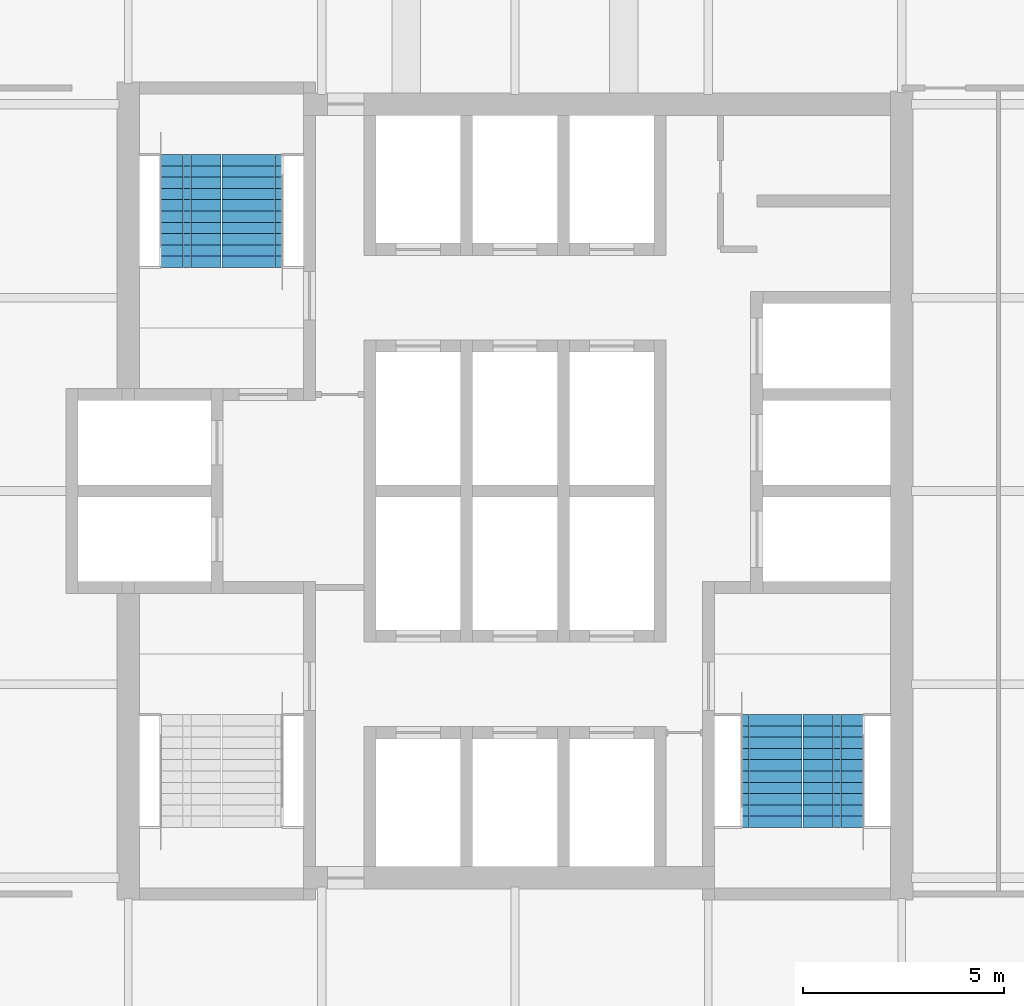
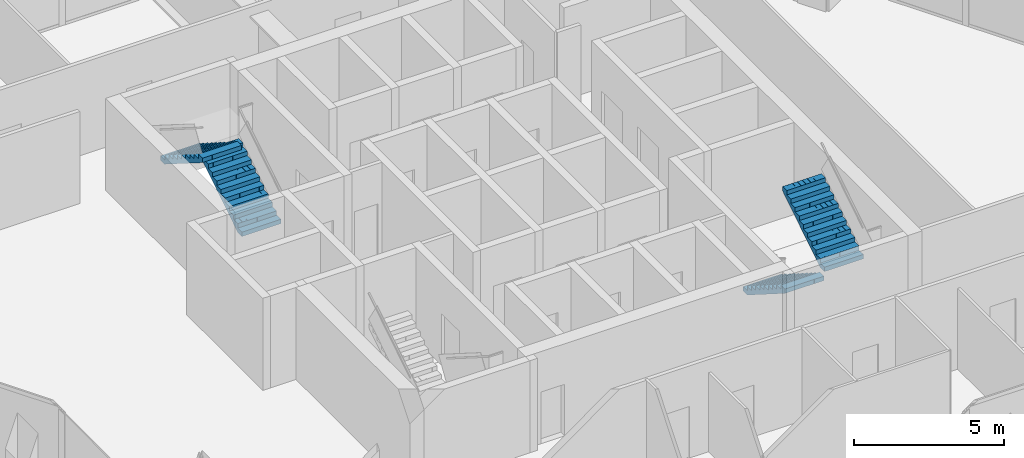
# One storey, part 12 of 14: 4 stair flights, 2 elements without a shape of their own.
"""IFC4 building model written with IfcOpenShell, lengths in metres."""

from ifc_helpers import new_model, si_unit, direction, frame, origin, place, context, subcontext, project, spatial, polyline, outline, extrude, material, type_object, element, aggregate, save


model = new_model("IFC4")

# Units and contexts
model_context = context("Model", 3, precision=1e-05, world=origin(), true_north=direction((0.0, 1.0)))
body_context = subcontext(model_context, "Body", "Model", "MODEL_VIEW")
ifc_project = project(units=[si_unit("LENGTHUNIT", "METRE"), si_unit("AREAUNIT", "SQUARE_METRE"), si_unit("VOLUMEUNIT", "CUBIC_METRE"), si_unit("PLANEANGLEUNIT", "RADIAN"), si_unit("MASSUNIT", "GRAM", prefix="KILO")], contexts=[model_context])

# Site, building, storey
site_placement = place(None, origin())
site = spatial("IfcSite", under=ifc_project, at=site_placement, CompositionType="ELEMENT")
building_placement = place(site_placement, origin())
building = spatial("IfcBuilding", under=site, at=building_placement, Name="Kolab Exchange Tower", CompositionType="ELEMENT")
storey_placement = place(building_placement, frame((0.0, 0.0, 265.699951171875)))
storey = spatial("IfcBuildingStorey", under=building, at=storey_placement, Name="L59", CompositionType="ELEMENT", Elevation=265.699951171875)

# Stair, stair flights
ifc_material = material(Name="Concrete C50/60", Category="concrete")
stair_type_1 = type_object("IfcStairType", Name="STAIR ST1 RISER 177.3", PredefinedType="HALF_TURN_STAIR", material=ifc_material)
stair_1_placement = place(storey_placement, origin())
stair_1 = element("IfcStair", 1, at=stair_1_placement, inside=storey, type_object=stair_type_1, Name="Stair 1", PredefinedType="HALF_TURN_STAIR")
stair_flight_type = type_object("IfcStairFlightType", Name="STAIR FLIGHT 1500 RISER 177.3", PredefinedType="STRAIGHT", material=ifc_material)
stair_flight_1_placement = place(storey_placement, frame((-6.527587890625, 5.550048828125, 0.0), z_axis=(0.0, 0.0, 1.0), x_axis=(0.0, 1.0, 0.0)))
stair_flight_1 = element("IfcStairFlight", 2, at=stair_flight_1_placement, type_object=stair_flight_type, Name="ST1 flight 1", NumberOfRisers=11, NumberOfTreads=10, PredefinedType="STRAIGHT", RiserHeight=0.177272727, TreadLength=0.28, context=body_context, shape_type="SweptSolid", body=[
    extrude(outline(polyline([(0.0, 0.0), (0.0, 0.17724609375), (0.280029296875, 0.17724609375), (0.280029296875, 0.3544921875), (0.56005859375, 0.3544921875), (0.56005859375, 0.53173828125), (0.840087890625, 0.53173828125), (0.840087890625, 0.708984375), (1.1201171875, 0.708984375), (1.1201171875, 0.886474609375), (1.39990234375, 0.886474609375), (1.39990234375, 1.063720703125), (1.679931640625, 1.063720703125), (1.679931640625, 1.240966796875), (1.9599609375, 1.240966796875), (1.9599609375, 1.418212890625), (2.239990234375, 1.418212890625), (2.239990234375, 1.595458984375), (2.52001953125, 1.595458984375), (2.52001953125, 1.772705078125), (2.800048828125, 1.772705078125), (2.800048828125, 1.949951171875), (2.800048828125, 1.59521484375), (0.2802734375, 0.0), (0.0, 0.0)])), frame((0.0, 0.75, 0.0), z_axis=(0.0, -1.0, 0.0), x_axis=(1.0, 0.0, 0.0)), (0.0, 0.0, 1.0), 0.185791015625),
    extrude(outline(polyline([(0.0, 0.0), (0.0, 0.17724609375), (0.280029296875, 0.17724609375), (0.280029296875, 0.3544921875), (0.56005859375, 0.3544921875), (0.56005859375, 0.53173828125), (0.840087890625, 0.53173828125), (0.840087890625, 0.708984375), (1.1201171875, 0.708984375), (1.1201171875, 0.886474609375), (1.39990234375, 0.886474609375), (1.39990234375, 1.063720703125), (1.679931640625, 1.063720703125), (1.679931640625, 1.240966796875), (1.9599609375, 1.240966796875), (1.9599609375, 1.418212890625), (2.239990234375, 1.418212890625), (2.239990234375, 1.595458984375), (2.52001953125, 1.595458984375), (2.52001953125, 1.772705078125), (2.800048828125, 1.772705078125), (2.800048828125, 1.949951171875), (2.800048828125, 1.59521484375), (0.2802734375, 0.0), (0.0, 0.0)])), frame((0.0, 0.562255859375, 0.0), z_axis=(0.0, -1.0, 0.0), x_axis=(1.0, 0.0, 0.0)), (0.0, 0.0, 1.0), 0.185791015625),
    extrude(outline(polyline([(0.0, 0.0), (0.0, 0.17724609375), (0.280029296875, 0.17724609375), (0.280029296875, 0.3544921875), (0.56005859375, 0.3544921875), (0.56005859375, 0.53173828125), (0.840087890625, 0.53173828125), (0.840087890625, 0.708984375), (1.1201171875, 0.708984375), (1.1201171875, 0.886474609375), (1.39990234375, 0.886474609375), (1.39990234375, 1.063720703125), (1.679931640625, 1.063720703125), (1.679931640625, 1.240966796875), (1.9599609375, 1.240966796875), (1.9599609375, 1.418212890625), (2.239990234375, 1.418212890625), (2.239990234375, 1.595458984375), (2.52001953125, 1.595458984375), (2.52001953125, 1.772705078125), (2.800048828125, 1.772705078125), (2.800048828125, 1.949951171875), (2.800048828125, 1.59521484375), (0.2802734375, 0.0), (0.0, 0.0)])), frame((0.0, 0.37451171875, 0.0), z_axis=(0.0, -1.0, 0.0), x_axis=(1.0, 0.0, 0.0)), (0.0, 0.0, 1.0), 0.185791015625),
    extrude(outline(polyline([(0.0, 0.0), (0.0, 0.17724609375), (0.280029296875, 0.17724609375), (0.280029296875, 0.3544921875), (0.56005859375, 0.3544921875), (0.56005859375, 0.53173828125), (0.840087890625, 0.53173828125), (0.840087890625, 0.708984375), (1.1201171875, 0.708984375), (1.1201171875, 0.886474609375), (1.39990234375, 0.886474609375), (1.39990234375, 1.063720703125), (1.679931640625, 1.063720703125), (1.679931640625, 1.240966796875), (1.9599609375, 1.240966796875), (1.9599609375, 1.418212890625), (2.239990234375, 1.418212890625), (2.239990234375, 1.595458984375), (2.52001953125, 1.595458984375), (2.52001953125, 1.772705078125), (2.800048828125, 1.772705078125), (2.800048828125, 1.949951171875), (2.800048828125, 1.59521484375), (0.2802734375, 0.0), (0.0, 0.0)])), frame((0.0, 0.186767578125, 0.0), z_axis=(0.0, -1.0, 0.0), x_axis=(1.0, 0.0, 0.0)), (0.0, 0.0, 1.0), 0.185791015625),
    extrude(outline(polyline([(0.0, 0.0), (0.0, 0.17724609375), (0.280029296875, 0.17724609375), (0.280029296875, 0.3544921875), (0.56005859375, 0.3544921875), (0.56005859375, 0.53173828125), (0.840087890625, 0.53173828125), (0.840087890625, 0.708984375), (1.1201171875, 0.708984375), (1.1201171875, 0.886474609375), (1.39990234375, 0.886474609375), (1.39990234375, 1.063720703125), (1.679931640625, 1.063720703125), (1.679931640625, 1.240966796875), (1.9599609375, 1.240966796875), (1.9599609375, 1.418212890625), (2.239990234375, 1.418212890625), (2.239990234375, 1.595458984375), (2.52001953125, 1.595458984375), (2.52001953125, 1.772705078125), (2.800048828125, 1.772705078125), (2.800048828125, 1.949951171875), (2.800048828125, 1.59521484375), (0.2802734375, 0.0), (0.0, 0.0)])), frame((0.0, -0.0009765625, 0.0), z_axis=(0.0, -1.0, 0.0), x_axis=(1.0, 0.0, 0.0)), (0.0, 0.0, 1.0), 0.185791015625),
    extrude(outline(polyline([(0.0, 0.0), (0.0, 0.17724609375), (0.280029296875, 0.17724609375), (0.280029296875, 0.3544921875), (0.56005859375, 0.3544921875), (0.56005859375, 0.53173828125), (0.840087890625, 0.53173828125), (0.840087890625, 0.708984375), (1.1201171875, 0.708984375), (1.1201171875, 0.886474609375), (1.39990234375, 0.886474609375), (1.39990234375, 1.063720703125), (1.679931640625, 1.063720703125), (1.679931640625, 1.240966796875), (1.9599609375, 1.240966796875), (1.9599609375, 1.418212890625), (2.239990234375, 1.418212890625), (2.239990234375, 1.595458984375), (2.52001953125, 1.595458984375), (2.52001953125, 1.772705078125), (2.800048828125, 1.772705078125), (2.800048828125, 1.949951171875), (2.800048828125, 1.59521484375), (0.2802734375, 0.0), (0.0, 0.0)])), frame((0.0, -0.188720703125, 0.0), z_axis=(0.0, -1.0, 0.0), x_axis=(1.0, 0.0, 0.0)), (0.0, 0.0, 1.0), 0.185791015625),
    extrude(outline(polyline([(0.0, 0.0), (0.0, 0.17724609375), (0.280029296875, 0.17724609375), (0.280029296875, 0.3544921875), (0.56005859375, 0.3544921875), (0.56005859375, 0.53173828125), (0.840087890625, 0.53173828125), (0.840087890625, 0.708984375), (1.1201171875, 0.708984375), (1.1201171875, 0.886474609375), (1.39990234375, 0.886474609375), (1.39990234375, 1.063720703125), (1.679931640625, 1.063720703125), (1.679931640625, 1.240966796875), (1.9599609375, 1.240966796875), (1.9599609375, 1.418212890625), (2.239990234375, 1.418212890625), (2.239990234375, 1.595458984375), (2.52001953125, 1.595458984375), (2.52001953125, 1.772705078125), (2.800048828125, 1.772705078125), (2.800048828125, 1.949951171875), (2.800048828125, 1.59521484375), (0.2802734375, 0.0), (0.0, 0.0)])), frame((0.0, -0.37646484375, 0.0), z_axis=(0.0, -1.0, 0.0), x_axis=(1.0, 0.0, 0.0)), (0.0, 0.0, 1.0), 0.185791015625),
    extrude(outline(polyline([(0.0, 0.0), (0.0, 0.17724609375), (0.280029296875, 0.17724609375), (0.280029296875, 0.3544921875), (0.56005859375, 0.3544921875), (0.56005859375, 0.53173828125), (0.840087890625, 0.53173828125), (0.840087890625, 0.708984375), (1.1201171875, 0.708984375), (1.1201171875, 0.886474609375), (1.39990234375, 0.886474609375), (1.39990234375, 1.063720703125), (1.679931640625, 1.063720703125), (1.679931640625, 1.240966796875), (1.9599609375, 1.240966796875), (1.9599609375, 1.418212890625), (2.239990234375, 1.418212890625), (2.239990234375, 1.595458984375), (2.52001953125, 1.595458984375), (2.52001953125, 1.772705078125), (2.800048828125, 1.772705078125), (2.800048828125, 1.949951171875), (2.800048828125, 1.59521484375), (0.2802734375, 0.0), (0.0, 0.0)])), frame((0.0, -0.564208984375, 0.0), z_axis=(0.0, -1.0, 0.0), x_axis=(1.0, 0.0, 0.0)), (0.0, 0.0, 1.0), 0.185791015625),
])
stair_flight_2_placement = place(storey_placement, frame((-8.047607421875, 8.35009765625, 1.949951171875), z_axis=(0.0, 0.0, 1.0), x_axis=(0.0, -1.0, 0.0)))
stair_flight_2 = element("IfcStairFlight", 3, at=stair_flight_2_placement, type_object=stair_flight_type, Name="ST1 flight 2", NumberOfRisers=11, NumberOfTreads=10, PredefinedType="STRAIGHT", RiserHeight=0.177272727, TreadLength=0.28, context=body_context, shape_type="SweptSolid", body=[
    extrude(outline(polyline([(0.0, 0.0), (0.0, 0.17724609375), (0.280029296875, 0.17724609375), (0.280029296875, 0.3544921875), (0.56005859375, 0.3544921875), (0.56005859375, 0.53173828125), (0.840087890625, 0.53173828125), (0.840087890625, 0.708984375), (1.1201171875, 0.708984375), (1.1201171875, 0.886474609375), (1.39990234375, 0.886474609375), (1.39990234375, 1.063720703125), (1.679931640625, 1.063720703125), (1.679931640625, 1.240966796875), (1.9599609375, 1.240966796875), (1.9599609375, 1.418212890625), (2.239990234375, 1.418212890625), (2.239990234375, 1.595458984375), (2.52001953125, 1.595458984375), (2.52001953125, 1.772705078125), (2.800048828125, 1.772705078125), (2.800048828125, 1.949951171875), (2.800048828125, 1.59521484375), (0.2802734375, 0.0), (0.0, 0.0)])), frame((0.0, 0.75, 0.0), z_axis=(0.0, -1.0, 0.0), x_axis=(1.0, 0.0, 0.0)), (0.0, 0.0, 1.0), 0.185791015625),
    extrude(outline(polyline([(0.0, 0.0), (0.0, 0.17724609375), (0.280029296875, 0.17724609375), (0.280029296875, 0.3544921875), (0.56005859375, 0.3544921875), (0.56005859375, 0.53173828125), (0.840087890625, 0.53173828125), (0.840087890625, 0.708984375), (1.1201171875, 0.708984375), (1.1201171875, 0.886474609375), (1.39990234375, 0.886474609375), (1.39990234375, 1.063720703125), (1.679931640625, 1.063720703125), (1.679931640625, 1.240966796875), (1.9599609375, 1.240966796875), (1.9599609375, 1.418212890625), (2.239990234375, 1.418212890625), (2.239990234375, 1.595458984375), (2.52001953125, 1.595458984375), (2.52001953125, 1.772705078125), (2.800048828125, 1.772705078125), (2.800048828125, 1.949951171875), (2.800048828125, 1.59521484375), (0.2802734375, 0.0), (0.0, 0.0)])), frame((0.0, 0.562255859375, 0.0), z_axis=(0.0, -1.0, 0.0), x_axis=(1.0, 0.0, 0.0)), (0.0, 0.0, 1.0), 0.185791015625),
    extrude(outline(polyline([(0.0, 0.0), (0.0, 0.17724609375), (0.280029296875, 0.17724609375), (0.280029296875, 0.3544921875), (0.56005859375, 0.3544921875), (0.56005859375, 0.53173828125), (0.840087890625, 0.53173828125), (0.840087890625, 0.708984375), (1.1201171875, 0.708984375), (1.1201171875, 0.886474609375), (1.39990234375, 0.886474609375), (1.39990234375, 1.063720703125), (1.679931640625, 1.063720703125), (1.679931640625, 1.240966796875), (1.9599609375, 1.240966796875), (1.9599609375, 1.418212890625), (2.239990234375, 1.418212890625), (2.239990234375, 1.595458984375), (2.52001953125, 1.595458984375), (2.52001953125, 1.772705078125), (2.800048828125, 1.772705078125), (2.800048828125, 1.949951171875), (2.800048828125, 1.59521484375), (0.2802734375, 0.0), (0.0, 0.0)])), frame((0.0, 0.37451171875, 0.0), z_axis=(0.0, -1.0, 0.0), x_axis=(1.0, 0.0, 0.0)), (0.0, 0.0, 1.0), 0.185791015625),
    extrude(outline(polyline([(0.0, 0.0), (0.0, 0.17724609375), (0.280029296875, 0.17724609375), (0.280029296875, 0.3544921875), (0.56005859375, 0.3544921875), (0.56005859375, 0.53173828125), (0.840087890625, 0.53173828125), (0.840087890625, 0.708984375), (1.1201171875, 0.708984375), (1.1201171875, 0.886474609375), (1.39990234375, 0.886474609375), (1.39990234375, 1.063720703125), (1.679931640625, 1.063720703125), (1.679931640625, 1.240966796875), (1.9599609375, 1.240966796875), (1.9599609375, 1.418212890625), (2.239990234375, 1.418212890625), (2.239990234375, 1.595458984375), (2.52001953125, 1.595458984375), (2.52001953125, 1.772705078125), (2.800048828125, 1.772705078125), (2.800048828125, 1.949951171875), (2.800048828125, 1.59521484375), (0.2802734375, 0.0), (0.0, 0.0)])), frame((0.0, 0.186767578125, 0.0), z_axis=(0.0, -1.0, 0.0), x_axis=(1.0, 0.0, 0.0)), (0.0, 0.0, 1.0), 0.185791015625),
    extrude(outline(polyline([(0.0, 0.0), (0.0, 0.17724609375), (0.280029296875, 0.17724609375), (0.280029296875, 0.3544921875), (0.56005859375, 0.3544921875), (0.56005859375, 0.53173828125), (0.840087890625, 0.53173828125), (0.840087890625, 0.708984375), (1.1201171875, 0.708984375), (1.1201171875, 0.886474609375), (1.39990234375, 0.886474609375), (1.39990234375, 1.063720703125), (1.679931640625, 1.063720703125), (1.679931640625, 1.240966796875), (1.9599609375, 1.240966796875), (1.9599609375, 1.418212890625), (2.239990234375, 1.418212890625), (2.239990234375, 1.595458984375), (2.52001953125, 1.595458984375), (2.52001953125, 1.772705078125), (2.800048828125, 1.772705078125), (2.800048828125, 1.949951171875), (2.800048828125, 1.59521484375), (0.2802734375, 0.0), (0.0, 0.0)])), frame((0.0, -0.0009765625, 0.0), z_axis=(0.0, -1.0, 0.0), x_axis=(1.0, 0.0, 0.0)), (0.0, 0.0, 1.0), 0.185791015625),
    extrude(outline(polyline([(0.0, 0.0), (0.0, 0.17724609375), (0.280029296875, 0.17724609375), (0.280029296875, 0.3544921875), (0.56005859375, 0.3544921875), (0.56005859375, 0.53173828125), (0.840087890625, 0.53173828125), (0.840087890625, 0.708984375), (1.1201171875, 0.708984375), (1.1201171875, 0.886474609375), (1.39990234375, 0.886474609375), (1.39990234375, 1.063720703125), (1.679931640625, 1.063720703125), (1.679931640625, 1.240966796875), (1.9599609375, 1.240966796875), (1.9599609375, 1.418212890625), (2.239990234375, 1.418212890625), (2.239990234375, 1.595458984375), (2.52001953125, 1.595458984375), (2.52001953125, 1.772705078125), (2.800048828125, 1.772705078125), (2.800048828125, 1.949951171875), (2.800048828125, 1.59521484375), (0.2802734375, 0.0), (0.0, 0.0)])), frame((0.0, -0.188720703125, 0.0), z_axis=(0.0, -1.0, 0.0), x_axis=(1.0, 0.0, 0.0)), (0.0, 0.0, 1.0), 0.185791015625),
    extrude(outline(polyline([(0.0, 0.0), (0.0, 0.17724609375), (0.280029296875, 0.17724609375), (0.280029296875, 0.3544921875), (0.56005859375, 0.3544921875), (0.56005859375, 0.53173828125), (0.840087890625, 0.53173828125), (0.840087890625, 0.708984375), (1.1201171875, 0.708984375), (1.1201171875, 0.886474609375), (1.39990234375, 0.886474609375), (1.39990234375, 1.063720703125), (1.679931640625, 1.063720703125), (1.679931640625, 1.240966796875), (1.9599609375, 1.240966796875), (1.9599609375, 1.418212890625), (2.239990234375, 1.418212890625), (2.239990234375, 1.595458984375), (2.52001953125, 1.595458984375), (2.52001953125, 1.772705078125), (2.800048828125, 1.772705078125), (2.800048828125, 1.949951171875), (2.800048828125, 1.59521484375), (0.2802734375, 0.0), (0.0, 0.0)])), frame((0.0, -0.37646484375, 0.0), z_axis=(0.0, -1.0, 0.0), x_axis=(1.0, 0.0, 0.0)), (0.0, 0.0, 1.0), 0.185791015625),
    extrude(outline(polyline([(0.0, 0.0), (0.0, 0.17724609375), (0.280029296875, 0.17724609375), (0.280029296875, 0.3544921875), (0.56005859375, 0.3544921875), (0.56005859375, 0.53173828125), (0.840087890625, 0.53173828125), (0.840087890625, 0.708984375), (1.1201171875, 0.708984375), (1.1201171875, 0.886474609375), (1.39990234375, 0.886474609375), (1.39990234375, 1.063720703125), (1.679931640625, 1.063720703125), (1.679931640625, 1.240966796875), (1.9599609375, 1.240966796875), (1.9599609375, 1.418212890625), (2.239990234375, 1.418212890625), (2.239990234375, 1.595458984375), (2.52001953125, 1.595458984375), (2.52001953125, 1.772705078125), (2.800048828125, 1.772705078125), (2.800048828125, 1.949951171875), (2.800048828125, 1.59521484375), (0.2802734375, 0.0), (0.0, 0.0)])), frame((0.0, -0.564208984375, 0.0), z_axis=(0.0, -1.0, 0.0), x_axis=(1.0, 0.0, 0.0)), (0.0, 0.0, 1.0), 0.185791015625),
])
aggregate(stair_1, [stair_flight_1, stair_flight_2])

stair_type_2 = type_object("IfcStairType", Name="STAIR ST2 RISER 177.3", PredefinedType="HALF_TURN_STAIR", material=ifc_material)
stair_2_placement = place(storey_placement, origin())
stair_2 = element("IfcStair", 4, at=stair_2_placement, inside=storey, type_object=stair_type_2, Name="Stair 2", PredefinedType="HALF_TURN_STAIR")
stair_flight_3_placement = place(storey_placement, frame((6.37744140625, -5.550048828125, 0.0), z_axis=(0.0, 0.0, 1.0), x_axis=(0.0, -1.0, 0.0)))
stair_flight_3 = element("IfcStairFlight", 5, at=stair_flight_3_placement, type_object=stair_flight_type, Name="ST2 flight 1", NumberOfRisers=11, NumberOfTreads=10, PredefinedType="STRAIGHT", RiserHeight=0.177272727, TreadLength=0.28, context=body_context, shape_type="SweptSolid", body=[
    extrude(outline(polyline([(0.0, 0.0), (0.0, 0.17724609375), (0.280029296875, 0.17724609375), (0.280029296875, 0.3544921875), (0.56005859375, 0.3544921875), (0.56005859375, 0.53173828125), (0.840087890625, 0.53173828125), (0.840087890625, 0.708984375), (1.1201171875, 0.708984375), (1.1201171875, 0.886474609375), (1.39990234375, 0.886474609375), (1.39990234375, 1.063720703125), (1.679931640625, 1.063720703125), (1.679931640625, 1.240966796875), (1.9599609375, 1.240966796875), (1.9599609375, 1.418212890625), (2.239990234375, 1.418212890625), (2.239990234375, 1.595458984375), (2.52001953125, 1.595458984375), (2.52001953125, 1.772705078125), (2.800048828125, 1.772705078125), (2.800048828125, 1.949951171875), (2.800048828125, 1.59521484375), (0.2802734375, 0.0), (0.0, 0.0)])), frame((0.0, 0.75, 0.0), z_axis=(0.0, -1.0, 0.0), x_axis=(1.0, 0.0, 0.0)), (0.0, 0.0, 1.0), 0.185791015625),
    extrude(outline(polyline([(0.0, 0.0), (0.0, 0.17724609375), (0.280029296875, 0.17724609375), (0.280029296875, 0.3544921875), (0.56005859375, 0.3544921875), (0.56005859375, 0.53173828125), (0.840087890625, 0.53173828125), (0.840087890625, 0.708984375), (1.1201171875, 0.708984375), (1.1201171875, 0.886474609375), (1.39990234375, 0.886474609375), (1.39990234375, 1.063720703125), (1.679931640625, 1.063720703125), (1.679931640625, 1.240966796875), (1.9599609375, 1.240966796875), (1.9599609375, 1.418212890625), (2.239990234375, 1.418212890625), (2.239990234375, 1.595458984375), (2.52001953125, 1.595458984375), (2.52001953125, 1.772705078125), (2.800048828125, 1.772705078125), (2.800048828125, 1.949951171875), (2.800048828125, 1.59521484375), (0.2802734375, 0.0), (0.0, 0.0)])), frame((0.0, 0.562255859375, 0.0), z_axis=(0.0, -1.0, 0.0), x_axis=(1.0, 0.0, 0.0)), (0.0, 0.0, 1.0), 0.185791015625),
    extrude(outline(polyline([(0.0, 0.0), (0.0, 0.17724609375), (0.280029296875, 0.17724609375), (0.280029296875, 0.3544921875), (0.56005859375, 0.3544921875), (0.56005859375, 0.53173828125), (0.840087890625, 0.53173828125), (0.840087890625, 0.708984375), (1.1201171875, 0.708984375), (1.1201171875, 0.886474609375), (1.39990234375, 0.886474609375), (1.39990234375, 1.063720703125), (1.679931640625, 1.063720703125), (1.679931640625, 1.240966796875), (1.9599609375, 1.240966796875), (1.9599609375, 1.418212890625), (2.239990234375, 1.418212890625), (2.239990234375, 1.595458984375), (2.52001953125, 1.595458984375), (2.52001953125, 1.772705078125), (2.800048828125, 1.772705078125), (2.800048828125, 1.949951171875), (2.800048828125, 1.59521484375), (0.2802734375, 0.0), (0.0, 0.0)])), frame((0.0, 0.37451171875, 0.0), z_axis=(0.0, -1.0, 0.0), x_axis=(1.0, 0.0, 0.0)), (0.0, 0.0, 1.0), 0.185791015625),
    extrude(outline(polyline([(0.0, 0.0), (0.0, 0.17724609375), (0.280029296875, 0.17724609375), (0.280029296875, 0.3544921875), (0.56005859375, 0.3544921875), (0.56005859375, 0.53173828125), (0.840087890625, 0.53173828125), (0.840087890625, 0.708984375), (1.1201171875, 0.708984375), (1.1201171875, 0.886474609375), (1.39990234375, 0.886474609375), (1.39990234375, 1.063720703125), (1.679931640625, 1.063720703125), (1.679931640625, 1.240966796875), (1.9599609375, 1.240966796875), (1.9599609375, 1.418212890625), (2.239990234375, 1.418212890625), (2.239990234375, 1.595458984375), (2.52001953125, 1.595458984375), (2.52001953125, 1.772705078125), (2.800048828125, 1.772705078125), (2.800048828125, 1.949951171875), (2.800048828125, 1.59521484375), (0.2802734375, 0.0), (0.0, 0.0)])), frame((0.0, 0.186767578125, 0.0), z_axis=(0.0, -1.0, 0.0), x_axis=(1.0, 0.0, 0.0)), (0.0, 0.0, 1.0), 0.185791015625),
    extrude(outline(polyline([(0.0, 0.0), (0.0, 0.17724609375), (0.280029296875, 0.17724609375), (0.280029296875, 0.3544921875), (0.56005859375, 0.3544921875), (0.56005859375, 0.53173828125), (0.840087890625, 0.53173828125), (0.840087890625, 0.708984375), (1.1201171875, 0.708984375), (1.1201171875, 0.886474609375), (1.39990234375, 0.886474609375), (1.39990234375, 1.063720703125), (1.679931640625, 1.063720703125), (1.679931640625, 1.240966796875), (1.9599609375, 1.240966796875), (1.9599609375, 1.418212890625), (2.239990234375, 1.418212890625), (2.239990234375, 1.595458984375), (2.52001953125, 1.595458984375), (2.52001953125, 1.772705078125), (2.800048828125, 1.772705078125), (2.800048828125, 1.949951171875), (2.800048828125, 1.59521484375), (0.2802734375, 0.0), (0.0, 0.0)])), frame((0.0, -0.0009765625, 0.0), z_axis=(0.0, -1.0, 0.0), x_axis=(1.0, 0.0, 0.0)), (0.0, 0.0, 1.0), 0.185791015625),
    extrude(outline(polyline([(0.0, 0.0), (0.0, 0.17724609375), (0.280029296875, 0.17724609375), (0.280029296875, 0.3544921875), (0.56005859375, 0.3544921875), (0.56005859375, 0.53173828125), (0.840087890625, 0.53173828125), (0.840087890625, 0.708984375), (1.1201171875, 0.708984375), (1.1201171875, 0.886474609375), (1.39990234375, 0.886474609375), (1.39990234375, 1.063720703125), (1.679931640625, 1.063720703125), (1.679931640625, 1.240966796875), (1.9599609375, 1.240966796875), (1.9599609375, 1.418212890625), (2.239990234375, 1.418212890625), (2.239990234375, 1.595458984375), (2.52001953125, 1.595458984375), (2.52001953125, 1.772705078125), (2.800048828125, 1.772705078125), (2.800048828125, 1.949951171875), (2.800048828125, 1.59521484375), (0.2802734375, 0.0), (0.0, 0.0)])), frame((0.0, -0.188720703125, 0.0), z_axis=(0.0, -1.0, 0.0), x_axis=(1.0, 0.0, 0.0)), (0.0, 0.0, 1.0), 0.185791015625),
    extrude(outline(polyline([(0.0, 0.0), (0.0, 0.17724609375), (0.280029296875, 0.17724609375), (0.280029296875, 0.3544921875), (0.56005859375, 0.3544921875), (0.56005859375, 0.53173828125), (0.840087890625, 0.53173828125), (0.840087890625, 0.708984375), (1.1201171875, 0.708984375), (1.1201171875, 0.886474609375), (1.39990234375, 0.886474609375), (1.39990234375, 1.063720703125), (1.679931640625, 1.063720703125), (1.679931640625, 1.240966796875), (1.9599609375, 1.240966796875), (1.9599609375, 1.418212890625), (2.239990234375, 1.418212890625), (2.239990234375, 1.595458984375), (2.52001953125, 1.595458984375), (2.52001953125, 1.772705078125), (2.800048828125, 1.772705078125), (2.800048828125, 1.949951171875), (2.800048828125, 1.59521484375), (0.2802734375, 0.0), (0.0, 0.0)])), frame((0.0, -0.37646484375, 0.0), z_axis=(0.0, -1.0, 0.0), x_axis=(1.0, 0.0, 0.0)), (0.0, 0.0, 1.0), 0.185791015625),
    extrude(outline(polyline([(0.0, 0.0), (0.0, 0.17724609375), (0.280029296875, 0.17724609375), (0.280029296875, 0.3544921875), (0.56005859375, 0.3544921875), (0.56005859375, 0.53173828125), (0.840087890625, 0.53173828125), (0.840087890625, 0.708984375), (1.1201171875, 0.708984375), (1.1201171875, 0.886474609375), (1.39990234375, 0.886474609375), (1.39990234375, 1.063720703125), (1.679931640625, 1.063720703125), (1.679931640625, 1.240966796875), (1.9599609375, 1.240966796875), (1.9599609375, 1.418212890625), (2.239990234375, 1.418212890625), (2.239990234375, 1.595458984375), (2.52001953125, 1.595458984375), (2.52001953125, 1.772705078125), (2.800048828125, 1.772705078125), (2.800048828125, 1.949951171875), (2.800048828125, 1.59521484375), (0.2802734375, 0.0), (0.0, 0.0)])), frame((0.0, -0.564208984375, 0.0), z_axis=(0.0, -1.0, 0.0), x_axis=(1.0, 0.0, 0.0)), (0.0, 0.0, 1.0), 0.185791015625),
])
stair_flight_4_placement = place(storey_placement, frame((7.8974609375, -8.35009765625, 1.949951171875), z_axis=(0.0, 0.0, 1.0), x_axis=(0.0, 1.0, 0.0)))
stair_flight_4 = element("IfcStairFlight", 6, at=stair_flight_4_placement, type_object=stair_flight_type, Name="ST2 flight 2", NumberOfRisers=11, NumberOfTreads=10, PredefinedType="STRAIGHT", RiserHeight=0.177272727, TreadLength=0.28, context=body_context, shape_type="SweptSolid", body=[
    extrude(outline(polyline([(0.0, 0.0), (0.0, 0.17724609375), (0.280029296875, 0.17724609375), (0.280029296875, 0.3544921875), (0.56005859375, 0.3544921875), (0.56005859375, 0.53173828125), (0.840087890625, 0.53173828125), (0.840087890625, 0.708984375), (1.1201171875, 0.708984375), (1.1201171875, 0.886474609375), (1.39990234375, 0.886474609375), (1.39990234375, 1.063720703125), (1.679931640625, 1.063720703125), (1.679931640625, 1.240966796875), (1.9599609375, 1.240966796875), (1.9599609375, 1.418212890625), (2.239990234375, 1.418212890625), (2.239990234375, 1.595458984375), (2.52001953125, 1.595458984375), (2.52001953125, 1.772705078125), (2.800048828125, 1.772705078125), (2.800048828125, 1.949951171875), (2.800048828125, 1.59521484375), (0.2802734375, 0.0), (0.0, 0.0)])), frame((0.0, 0.75, 0.0), z_axis=(0.0, -1.0, 0.0), x_axis=(1.0, 0.0, 0.0)), (0.0, 0.0, 1.0), 0.185791015625),
    extrude(outline(polyline([(0.0, 0.0), (0.0, 0.17724609375), (0.280029296875, 0.17724609375), (0.280029296875, 0.3544921875), (0.56005859375, 0.3544921875), (0.56005859375, 0.53173828125), (0.840087890625, 0.53173828125), (0.840087890625, 0.708984375), (1.1201171875, 0.708984375), (1.1201171875, 0.886474609375), (1.39990234375, 0.886474609375), (1.39990234375, 1.063720703125), (1.679931640625, 1.063720703125), (1.679931640625, 1.240966796875), (1.9599609375, 1.240966796875), (1.9599609375, 1.418212890625), (2.239990234375, 1.418212890625), (2.239990234375, 1.595458984375), (2.52001953125, 1.595458984375), (2.52001953125, 1.772705078125), (2.800048828125, 1.772705078125), (2.800048828125, 1.949951171875), (2.800048828125, 1.59521484375), (0.2802734375, 0.0), (0.0, 0.0)])), frame((0.0, 0.562255859375, 0.0), z_axis=(0.0, -1.0, 0.0), x_axis=(1.0, 0.0, 0.0)), (0.0, 0.0, 1.0), 0.185791015625),
    extrude(outline(polyline([(0.0, 0.0), (0.0, 0.17724609375), (0.280029296875, 0.17724609375), (0.280029296875, 0.3544921875), (0.56005859375, 0.3544921875), (0.56005859375, 0.53173828125), (0.840087890625, 0.53173828125), (0.840087890625, 0.708984375), (1.1201171875, 0.708984375), (1.1201171875, 0.886474609375), (1.39990234375, 0.886474609375), (1.39990234375, 1.063720703125), (1.679931640625, 1.063720703125), (1.679931640625, 1.240966796875), (1.9599609375, 1.240966796875), (1.9599609375, 1.418212890625), (2.239990234375, 1.418212890625), (2.239990234375, 1.595458984375), (2.52001953125, 1.595458984375), (2.52001953125, 1.772705078125), (2.800048828125, 1.772705078125), (2.800048828125, 1.949951171875), (2.800048828125, 1.59521484375), (0.2802734375, 0.0), (0.0, 0.0)])), frame((0.0, 0.37451171875, 0.0), z_axis=(0.0, -1.0, 0.0), x_axis=(1.0, 0.0, 0.0)), (0.0, 0.0, 1.0), 0.185791015625),
    extrude(outline(polyline([(0.0, 0.0), (0.0, 0.17724609375), (0.280029296875, 0.17724609375), (0.280029296875, 0.3544921875), (0.56005859375, 0.3544921875), (0.56005859375, 0.53173828125), (0.840087890625, 0.53173828125), (0.840087890625, 0.708984375), (1.1201171875, 0.708984375), (1.1201171875, 0.886474609375), (1.39990234375, 0.886474609375), (1.39990234375, 1.063720703125), (1.679931640625, 1.063720703125), (1.679931640625, 1.240966796875), (1.9599609375, 1.240966796875), (1.9599609375, 1.418212890625), (2.239990234375, 1.418212890625), (2.239990234375, 1.595458984375), (2.52001953125, 1.595458984375), (2.52001953125, 1.772705078125), (2.800048828125, 1.772705078125), (2.800048828125, 1.949951171875), (2.800048828125, 1.59521484375), (0.2802734375, 0.0), (0.0, 0.0)])), frame((0.0, 0.186767578125, 0.0), z_axis=(0.0, -1.0, 0.0), x_axis=(1.0, 0.0, 0.0)), (0.0, 0.0, 1.0), 0.185791015625),
    extrude(outline(polyline([(0.0, 0.0), (0.0, 0.17724609375), (0.280029296875, 0.17724609375), (0.280029296875, 0.3544921875), (0.56005859375, 0.3544921875), (0.56005859375, 0.53173828125), (0.840087890625, 0.53173828125), (0.840087890625, 0.708984375), (1.1201171875, 0.708984375), (1.1201171875, 0.886474609375), (1.39990234375, 0.886474609375), (1.39990234375, 1.063720703125), (1.679931640625, 1.063720703125), (1.679931640625, 1.240966796875), (1.9599609375, 1.240966796875), (1.9599609375, 1.418212890625), (2.239990234375, 1.418212890625), (2.239990234375, 1.595458984375), (2.52001953125, 1.595458984375), (2.52001953125, 1.772705078125), (2.800048828125, 1.772705078125), (2.800048828125, 1.949951171875), (2.800048828125, 1.59521484375), (0.2802734375, 0.0), (0.0, 0.0)])), frame((0.0, -0.0009765625, 0.0), z_axis=(0.0, -1.0, 0.0), x_axis=(1.0, 0.0, 0.0)), (0.0, 0.0, 1.0), 0.185791015625),
    extrude(outline(polyline([(0.0, 0.0), (0.0, 0.17724609375), (0.280029296875, 0.17724609375), (0.280029296875, 0.3544921875), (0.56005859375, 0.3544921875), (0.56005859375, 0.53173828125), (0.840087890625, 0.53173828125), (0.840087890625, 0.708984375), (1.1201171875, 0.708984375), (1.1201171875, 0.886474609375), (1.39990234375, 0.886474609375), (1.39990234375, 1.063720703125), (1.679931640625, 1.063720703125), (1.679931640625, 1.240966796875), (1.9599609375, 1.240966796875), (1.9599609375, 1.418212890625), (2.239990234375, 1.418212890625), (2.239990234375, 1.595458984375), (2.52001953125, 1.595458984375), (2.52001953125, 1.772705078125), (2.800048828125, 1.772705078125), (2.800048828125, 1.949951171875), (2.800048828125, 1.59521484375), (0.2802734375, 0.0), (0.0, 0.0)])), frame((0.0, -0.188720703125, 0.0), z_axis=(0.0, -1.0, 0.0), x_axis=(1.0, 0.0, 0.0)), (0.0, 0.0, 1.0), 0.185791015625),
    extrude(outline(polyline([(0.0, 0.0), (0.0, 0.17724609375), (0.280029296875, 0.17724609375), (0.280029296875, 0.3544921875), (0.56005859375, 0.3544921875), (0.56005859375, 0.53173828125), (0.840087890625, 0.53173828125), (0.840087890625, 0.708984375), (1.1201171875, 0.708984375), (1.1201171875, 0.886474609375), (1.39990234375, 0.886474609375), (1.39990234375, 1.063720703125), (1.679931640625, 1.063720703125), (1.679931640625, 1.240966796875), (1.9599609375, 1.240966796875), (1.9599609375, 1.418212890625), (2.239990234375, 1.418212890625), (2.239990234375, 1.595458984375), (2.52001953125, 1.595458984375), (2.52001953125, 1.772705078125), (2.800048828125, 1.772705078125), (2.800048828125, 1.949951171875), (2.800048828125, 1.59521484375), (0.2802734375, 0.0), (0.0, 0.0)])), frame((0.0, -0.37646484375, 0.0), z_axis=(0.0, -1.0, 0.0), x_axis=(1.0, 0.0, 0.0)), (0.0, 0.0, 1.0), 0.185791015625),
    extrude(outline(polyline([(0.0, 0.0), (0.0, 0.17724609375), (0.280029296875, 0.17724609375), (0.280029296875, 0.3544921875), (0.56005859375, 0.3544921875), (0.56005859375, 0.53173828125), (0.840087890625, 0.53173828125), (0.840087890625, 0.708984375), (1.1201171875, 0.708984375), (1.1201171875, 0.886474609375), (1.39990234375, 0.886474609375), (1.39990234375, 1.063720703125), (1.679931640625, 1.063720703125), (1.679931640625, 1.240966796875), (1.9599609375, 1.240966796875), (1.9599609375, 1.418212890625), (2.239990234375, 1.418212890625), (2.239990234375, 1.595458984375), (2.52001953125, 1.595458984375), (2.52001953125, 1.772705078125), (2.800048828125, 1.772705078125), (2.800048828125, 1.949951171875), (2.800048828125, 1.59521484375), (0.2802734375, 0.0), (0.0, 0.0)])), frame((0.0, -0.564208984375, 0.0), z_axis=(0.0, -1.0, 0.0), x_axis=(1.0, 0.0, 0.0)), (0.0, 0.0, 1.0), 0.185791015625),
])
aggregate(stair_2, [stair_flight_3, stair_flight_4])

save(model, "model.ifc")
